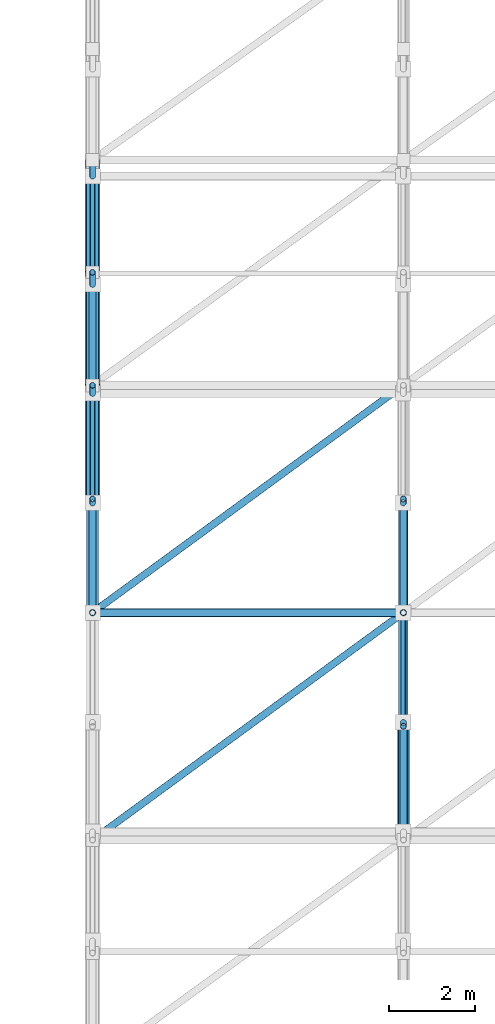
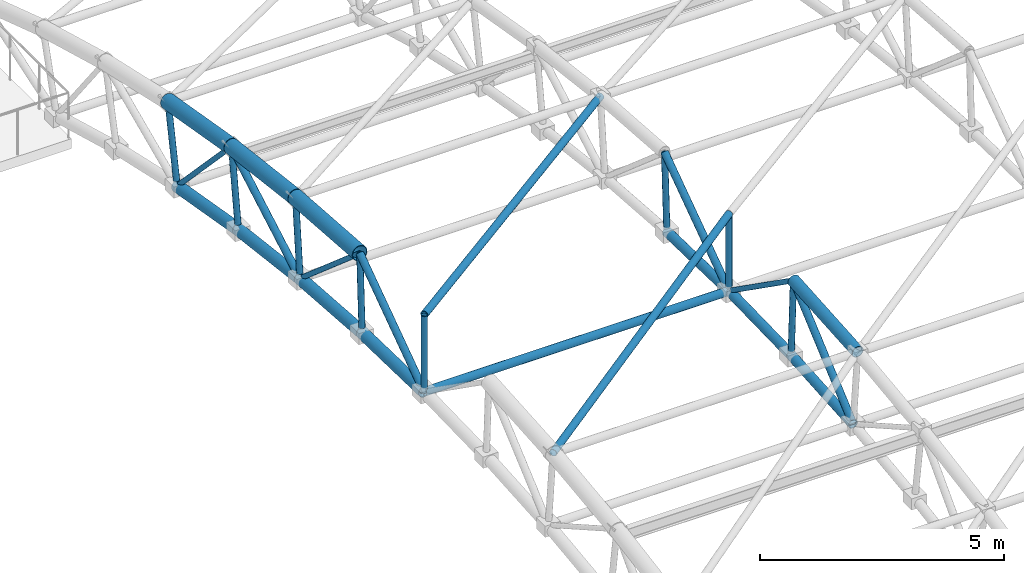
# One storey, part 14 of 41: 29 members.
"""IFC4 building model written with IfcOpenShell, lengths in metres."""

from ifc_helpers import new_model, si_unit, direction, frame, origin, origin_2d, place, context, subcontext, project, spatial, hollow_circle, extrude, material, material_profile, profile_set, type_object, element, save


model = new_model("IFC4")

# Units and contexts
model_context = context("Model", 3, precision=1e-05, world=origin(), true_north=direction((0.0, 1.0)))
body_context = subcontext(model_context, "Body", "Model", "MODEL_VIEW")
ifc_project = project(units=[si_unit("LENGTHUNIT", "METRE"), si_unit("AREAUNIT", "SQUARE_METRE"), si_unit("VOLUMEUNIT", "CUBIC_METRE"), si_unit("PLANEANGLEUNIT", "RADIAN"), si_unit("MASSUNIT", "GRAM", prefix="KILO")], contexts=[model_context])

# Site, building, storey
site_placement = place(None, origin())
site = spatial("IfcSite", under=ifc_project, at=site_placement, CompositionType="ELEMENT")
building_placement = place(site_placement, origin())
building = spatial("IfcBuilding", under=site, at=building_placement, Name="Malvenik Polytechnic", CompositionType="ELEMENT")
storey_placement = place(building_placement, frame((0.0, 0.0, 17.699951171875)))
storey = spatial("IfcBuildingStorey", under=building, at=storey_placement, Name="L04", CompositionType="ELEMENT", Elevation=17.699951171875)

# Members
ifc_material = material(Name="Steel S355J2H", Category="steel")
ifc_material_profile_1 = material_profile(ifc_material, hollow_circle(Radius=0.136474609375, WallThickness=0.010009765625, at=origin_2d()), Name="CHS 273.0x10.0")
ifc_profile_set_1 = profile_set([ifc_material_profile_1], Name="Steel S355J2H")
member_type_1 = type_object("IfcMemberType", Name="STR-MEM-SFB-01", PredefinedType="CHORD", material=ifc_profile_set_1)
member_1_placement = place(storey_placement, frame((134.39990234375, 64.803955078125, 2.40380859375), z_axis=(0.0, 0.999700855874, -0.024458102234), x_axis=(-1.0, 0.0, 0.0)))
element("IfcMember", 1, at=member_1_placement, inside=storey, type_object=member_type_1, Name="Space-Frame Tube SFB-01 STR-SF-BC-0025", PredefinedType="CHORD", context=body_context, shape_type="SweptSolid", body=[
    extrude(hollow_circle(Radius=0.136474609375, WallThickness=0.010009765625, at=origin_2d()), origin(), (0.0, 0.0, 1.0), 2.535400390625),
])
member_2_placement = place(storey_placement, frame((134.39990234375, 67.3466796875, 2.34130859375), z_axis=(0.0, 0.997310938626, -0.073286367738), x_axis=(-1.0, 0.0, 0.0)))
element("IfcMember", 2, at=member_2_placement, inside=storey, type_object=member_type_1, Name="Space-Frame Tube SFB-01 STR-SF-BC-0027", PredefinedType="CHORD", context=body_context, shape_type="SweptSolid", body=[
    extrude(hollow_circle(Radius=0.136474609375, WallThickness=0.010009765625, at=origin_2d()), origin(), (0.0, 0.0, 1.0), 2.53515625),
])
for number, where, z_axis, x_axis, name in (
    (3, (134.39990234375, 69.883056640625, 2.15478515625), (0.0, 0.992529141181, -0.122007802646), (-1.0, 0.0, 0.0), "Space-Frame Tube SFB-01 STR-SF-BC-0029"),
    (4, (134.39990234375, 72.4072265625, 1.84423828125), (0.0, 0.985384405638, -0.170345452318), (-1.0, 0.0, 0.0), "Space-Frame Tube SFB-01 STR-SF-BC-0031"),
):
    element("IfcMember", number, at=place(storey_placement, frame(where, z_axis=z_axis, x_axis=x_axis)), inside=storey, type_object=member_type_1, Name=name, PredefinedType="CHORD", context=body_context, shape_type="SweptSolid", body=[
        extrude(hollow_circle(Radius=0.136474609375, WallThickness=0.010009765625, at=origin_2d()), origin(), (0.0, 0.0, 1.0), 2.535400390625),
    ])
ifc_material_profile_2 = material_profile(ifc_material, hollow_circle(Radius=0.109619140625, WallThickness=0.010009765625, at=origin_2d()), Name="CHS 219.1x10.0")
ifc_profile_set_2 = profile_set([ifc_material_profile_2], Name="Steel S355J2H")
member_type_2 = type_object("IfcMemberType", Name="STR-MEM-SFB-02", PredefinedType="CHORD", material=ifc_profile_set_2)
for number, where, z_axis, x_axis, name in (
    (5, (141.60009765625, 59.72509765625, 2.155517578125), (0.0, 0.997310938626, 0.073286367738), (-1.0, 0.0, 0.0), "Space-Frame Tube SFB-02 STR-SF-BC-0118"),
    (6, (141.60009765625, 62.261474609375, 2.341796875), (0.0, 0.999700798264, 0.024460456869), (-1.0, 0.0, 0.0), "Space-Frame Tube SFB-02 STR-SF-BC-0120"),
):
    element("IfcMember", number, at=place(storey_placement, frame(where, z_axis=z_axis, x_axis=x_axis)), inside=storey, type_object=member_type_2, Name=name, PredefinedType="CHORD", context=body_context, shape_type="SweptSolid", body=[
        extrude(hollow_circle(Radius=0.109619140625, WallThickness=0.010009765625, at=origin_2d()), origin(), (0.0, 0.0, 1.0), 2.53515625),
    ])
member_3_placement = place(storey_placement, frame((141.60009765625, 64.803955078125, 2.40380859375), z_axis=(0.0, 0.999700855874, -0.024458102234), x_axis=(-1.0, 0.0, 0.0)))
element("IfcMember", 7, at=member_3_placement, inside=storey, type_object=member_type_2, Name="Space-Frame Tube SFB-02 STR-SF-BC-0122", PredefinedType="CHORD", context=body_context, shape_type="SweptSolid", body=[
    extrude(hollow_circle(Radius=0.109619140625, WallThickness=0.010009765625, at=origin_2d()), origin(), (0.0, 0.0, 1.0), 2.535400390625),
])
ifc_material_profile_3 = material_profile(ifc_material, hollow_circle(Radius=0.084228515625, WallThickness=0.00634765625, at=origin_2d()), Name="CHS 168.3x6.3")
ifc_profile_set_3 = profile_set([ifc_material_profile_3], Name="Steel S355J2H")
member_type_3 = type_object("IfcMemberType", Name="STR-MEM-SFD-02", PredefinedType="BRACE", material=ifc_profile_set_3)
for number, where, z_axis, x_axis, name in (
    (8, (134.39990234375, 64.80322265625, 2.40625), (0.0, 0.817091860907, 0.576507494175), (-1.0, 0.0, 0.0), "Space-Frame Tube SFD-02 STR-SF-AD-0086"),
    (9, (134.39990234375, 69.882568359375, 2.1572265625), (0.0, 0.869477287163, 0.493972921432), (-1.0, 0.0, 0.0), "Space-Frame Tube SFD-02 STR-SF-AD-0088"),
    (10, (141.60009765625, 59.72412109375, 2.157958984375), (0.0, 0.756869052153, 0.653566552), (-1.0, 0.0, 0.0), "Space-Frame Tube SFD-02 STR-SF-AD-0181"),
    (11, (141.60009765625, 64.80322265625, 2.40625), (0.0, 0.817091860907, 0.576507494175), (-1.0, 0.0, 0.0), "Space-Frame Tube SFD-02 STR-SF-AD-0183"),
):
    element("IfcMember", number, at=place(storey_placement, frame(where, z_axis=z_axis, x_axis=x_axis)), inside=storey, type_object=member_type_3, Name=name, PredefinedType="BRACE", context=body_context, shape_type="SweptSolid", body=[
        extrude(hollow_circle(Radius=0.084228515625, WallThickness=0.00634765625, at=origin_2d()), origin(), (0.0, 0.0, 1.0), 3.218994140625),
    ])
for number, where, z_axis, x_axis, name in (
    (12, (134.4033203125, 59.535400390625, 4.071044921875), (0.806758453907, 0.590173490209, 0.028914503371), (-0.590420351843, 0.807095910118, 0.0), "Space-Frame Tube SFD-02 STR-SF-SD-0808"),
    (13, (134.4033203125, 64.802490234375, 4.328857421875), (0.806758453907, 0.590173490209, -0.028914503371), (-0.590420351843, 0.807095910118, 0.0), "Space-Frame Tube SFD-02 STR-SF-SD-0809"),
):
    element("IfcMember", number, at=place(storey_placement, frame(where, z_axis=z_axis, x_axis=x_axis)), inside=storey, type_object=member_type_3, Name=name, PredefinedType="BRACE", context=body_context, shape_type="SweptSolid", body=[
        extrude(hollow_circle(Radius=0.084228515625, WallThickness=0.00634765625, at=origin_2d()), origin(), (0.0, 0.0, 1.0), 8.916259765625),
    ])
ifc_material_profile_4 = material_profile(ifc_material, hollow_circle(Radius=0.06982421875, WallThickness=0.00634765625, at=origin_2d()), Name="CHS 139.7x6.3")
ifc_profile_set_4 = profile_set([ifc_material_profile_4], Name="Steel S355J2H")
member_type_4 = type_object("IfcMemberType", Name="STR-MEM-SFD-03", PredefinedType="BRACE", material=ifc_profile_set_4)
member_4_placement = place(storey_placement, frame((134.39990234375, 64.800048828125, 2.407958984375), z_axis=(0.0, 0.0, 1.0), x_axis=(1.0, 0.0, 0.0)))
element("IfcMember", 14, at=member_4_placement, inside=storey, type_object=member_type_4, Name="Space-Frame Tube SFD-03 STR-SF-WB-0061", PredefinedType="BRACE", context=body_context, shape_type="SweptSolid", body=[
    extrude(hollow_circle(Radius=0.06982421875, WallThickness=0.00634765625, at=origin_2d()), origin(), (0.0, 0.0, 1.0), 1.9169921875),
])
member_5_placement = place(storey_placement, frame((134.39990234375, 67.3427734375, 2.345703125), z_axis=(0.0, 0.048908499501, 0.998803263249), x_axis=(-1.0, 0.0, 0.0)))
element("IfcMember", 15, at=member_5_placement, inside=storey, type_object=member_type_4, Name="Space-Frame Tube SFD-03 STR-SF-WB-0062", PredefinedType="BRACE", context=body_context, shape_type="SweptSolid", body=[
    extrude(hollow_circle(Radius=0.06982421875, WallThickness=0.00634765625, at=origin_2d()), origin(), (0.0, 0.0, 1.0), 1.916748046875),
])
member_6_placement = place(storey_placement, frame((134.39990234375, 69.87939453125, 2.1591796875), z_axis=(0.0, 0.09767529924, 0.995218335803), x_axis=(-1.0, 0.0, 0.0)))
element("IfcMember", 16, at=member_6_placement, inside=storey, type_object=member_type_4, Name="Space-Frame Tube SFD-03 STR-SF-WB-0063", PredefinedType="BRACE", context=body_context, shape_type="SweptSolid", body=[
    extrude(hollow_circle(Radius=0.06982421875, WallThickness=0.00634765625, at=origin_2d()), origin(), (0.0, 0.0, 1.0), 1.917236328125),
])
member_7_placement = place(storey_placement, frame((134.39990234375, 72.40380859375, 1.848876953125), z_axis=(0.0, 0.146197883622, 0.989255365831), x_axis=(-1.0, 0.0, 0.0)))
element("IfcMember", 17, at=member_7_placement, inside=storey, type_object=member_type_4, Name="Space-Frame Tube SFD-03 STR-SF-WB-0064", PredefinedType="BRACE", context=body_context, shape_type="SweptSolid", body=[
    extrude(hollow_circle(Radius=0.06982421875, WallThickness=0.00634765625, at=origin_2d()), origin(), (0.0, 0.0, 1.0), 1.9169921875),
])
member_8_placement = place(storey_placement, frame((134.39990234375, 74.910400390625, 1.41552734375), z_axis=(0.0, 0.194328084871, 0.980936590933), x_axis=(-1.0, 0.0, 0.0)))
element("IfcMember", 18, at=member_8_placement, inside=storey, type_object=member_type_4, Name="Space-Frame Tube SFD-03 STR-SF-WB-0065", PredefinedType="BRACE", context=body_context, shape_type="SweptSolid", body=[
    extrude(hollow_circle(Radius=0.06982421875, WallThickness=0.00634765625, at=origin_2d()), origin(), (0.0, 0.0, 1.0), 1.917236328125),
])
member_9_placement = place(storey_placement, frame((141.60009765625, 62.257080078125, 2.345703125), z_axis=(0.0, -0.048781437095, 0.998809477025), x_axis=(1.0, 0.0, 0.0)))
element("IfcMember", 19, at=member_9_placement, inside=storey, type_object=member_type_4, Name="Space-Frame Tube SFD-03 STR-SF-WB-0157", PredefinedType="BRACE", context=body_context, shape_type="SweptSolid", body=[
    extrude(hollow_circle(Radius=0.06982421875, WallThickness=0.00634765625, at=origin_2d()), origin(), (0.0, 0.0, 1.0), 1.916748046875),
])
member_10_placement = place(storey_placement, frame((141.60009765625, 64.800048828125, 2.407958984375), z_axis=(0.0, 0.0, 1.0), x_axis=(1.0, 0.0, 0.0)))
element("IfcMember", 20, at=member_10_placement, inside=storey, type_object=member_type_4, Name="Space-Frame Tube SFD-03 STR-SF-WB-0158", PredefinedType="BRACE", context=body_context, shape_type="SweptSolid", body=[
    extrude(hollow_circle(Radius=0.06982421875, WallThickness=0.00634765625, at=origin_2d()), origin(), (0.0, 0.0, 1.0), 1.9169921875),
])
member_11_placement = place(storey_placement, frame((141.60009765625, 67.3427734375, 2.345703125), z_axis=(0.0, 0.048908499501, 0.998803263249), x_axis=(-1.0, 0.0, 0.0)))
element("IfcMember", 21, at=member_11_placement, inside=storey, type_object=member_type_4, Name="Space-Frame Tube SFD-03 STR-SF-WB-0159", PredefinedType="BRACE", context=body_context, shape_type="SweptSolid", body=[
    extrude(hollow_circle(Radius=0.06982421875, WallThickness=0.00634765625, at=origin_2d()), origin(), (0.0, 0.0, 1.0), 1.916748046875),
])
ifc_material_profile_5 = material_profile(ifc_material, hollow_circle(Radius=0.05712890625, WallThickness=0.0048828125, at=origin_2d()), Name="CHS 114.3x5.0")
ifc_profile_set_5 = profile_set([ifc_material_profile_5], Name="Steel S355J2H")
member_type_5 = type_object("IfcMemberType", Name="STR-MEM-SFD-04", PredefinedType="BRACE", material=ifc_profile_set_5)
for number, where, z_axis, x_axis, name in (
    (22, (134.39990234375, 67.439697265625, 4.26171875), (0.0, 0.756869052153, -0.653566552), (-1.0, 0.0, 0.0), "Space-Frame Tube SFD-04 STR-SF-AD-0087"),
    (23, (134.39990234375, 72.6875, 3.746337890625), (0.0, 0.689408937301, -0.724372360854), (-1.0, 0.0, 0.0), "Space-Frame Tube SFD-04 STR-SF-AD-0089"),
    (24, (141.60009765625, 62.16650390625, 4.261962890625), (0.0, 0.817091860907, -0.576507494175), (-1.0, 0.0, 0.0), "Space-Frame Tube SFD-04 STR-SF-AD-0182"),
):
    element("IfcMember", number, at=place(storey_placement, frame(where, z_axis=z_axis, x_axis=x_axis)), inside=storey, type_object=member_type_5, Name=name, PredefinedType="BRACE", context=body_context, shape_type="SweptSolid", body=[
        extrude(hollow_circle(Radius=0.05712890625, WallThickness=0.0048828125, at=origin_2d()), origin(), (0.0, 0.0, 1.0), 3.218994140625),
    ])
ifc_material_profile_6 = material_profile(ifc_material, hollow_circle(Radius=0.096923828125, WallThickness=0.008056640625, at=origin_2d()), Name="CHS 193.7x8.0")
ifc_profile_set_6 = profile_set([ifc_material_profile_6], Name="Steel S355J2H")
member_type_6 = type_object("IfcMemberType", Name="STR-MEM-SFL-01", PredefinedType="CHORD", material=ifc_profile_set_6)
member_12_placement = place(storey_placement, frame((134.404052734375, 64.800048828125, 2.40380859375), z_axis=(1.0, 0.0, 0.0), x_axis=(0.0, 1.0, 0.0)))
element("IfcMember", 25, at=member_12_placement, inside=storey, type_object=member_type_6, Name="Space-Frame Tube SFL-01 STR-SF-LB-0789", PredefinedType="CHORD", context=body_context, shape_type="SweptSolid", body=[
    extrude(hollow_circle(Radius=0.096923828125, WallThickness=0.008056640625, at=origin_2d()), origin(), (0.0, 0.0, 1.0), 7.19189453125),
])
ifc_material_profile_7 = material_profile(ifc_material, hollow_circle(Radius=0.177734375, WallThickness=0.012451171875, at=origin_2d()), Name="CHS 355.6x12.5")
ifc_profile_set_7 = profile_set([ifc_material_profile_7], Name="Steel S355J2H")
member_type_7 = type_object("IfcMemberType", Name="STR-MEM-SFT-01", PredefinedType="CHORD", material=ifc_profile_set_7)
for number, where, z_axis, x_axis, name in (
    (26, (134.39990234375, 67.440673828125, 4.26416015625), (0.0, 0.997306127173, -0.073351814586), (-1.0, 0.0, 0.0), "Space-Frame Tube SFT-01 STR-SF-TC-0028"),
    (27, (134.39990234375, 70.071044921875, 4.070556640625), (0.0, 0.99253004874, -0.122000419462), (-1.0, 0.0, 0.0), "Space-Frame Tube SFT-01 STR-SF-TC-0030"),
    (28, (134.39990234375, 72.688720703125, 3.74853515625), (0.0, 0.985379595625, -0.170373274095), (-1.0, 0.0, 0.0), "Space-Frame Tube SFT-01 STR-SF-TC-0032"),
):
    element("IfcMember", number, at=place(storey_placement, frame(where, z_axis=z_axis, x_axis=x_axis)), inside=storey, type_object=member_type_7, Name=name, PredefinedType="CHORD", context=body_context, shape_type="SweptSolid", body=[
        extrude(hollow_circle(Radius=0.177734375, WallThickness=0.012451171875, at=origin_2d()), origin(), (0.0, 0.0, 1.0), 2.62939453125),
    ])
ifc_material_profile_8 = material_profile(ifc_material, hollow_circle(Radius=0.136474609375, WallThickness=0.012451171875, at=origin_2d()), Name="CHS 273.0x12.5")
ifc_profile_set_8 = profile_set([ifc_material_profile_8], Name="Steel S355J2H")
member_type_8 = type_object("IfcMemberType", Name="STR-MEM-SFT-02", PredefinedType="CHORD", material=ifc_profile_set_8)
member_13_placement = place(storey_placement, frame((141.60009765625, 59.537109375, 4.0712890625), z_axis=(0.0, 0.997305627523, 0.073358607611), x_axis=(-1.0, 0.0, 0.0)))
element("IfcMember", 29, at=member_13_placement, inside=storey, type_object=member_type_8, Name="Space-Frame Tube SFT-02 STR-SF-TC-0119", PredefinedType="CHORD", context=body_context, shape_type="SweptSolid", body=[
    extrude(hollow_circle(Radius=0.136474609375, WallThickness=0.012451171875, at=origin_2d()), origin(), (0.0, 0.0, 1.0), 2.629150390625),
])

save(model, "model.ifc")
